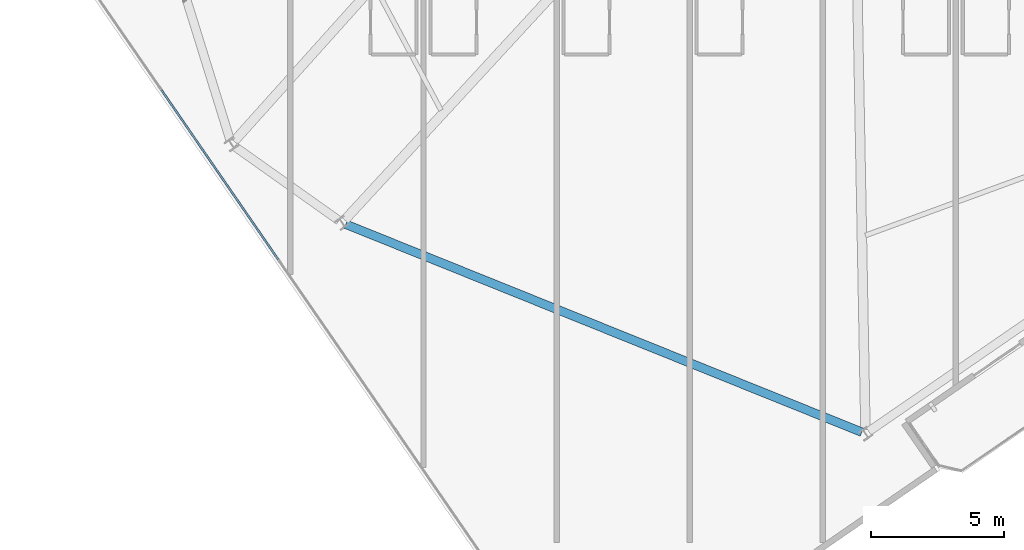
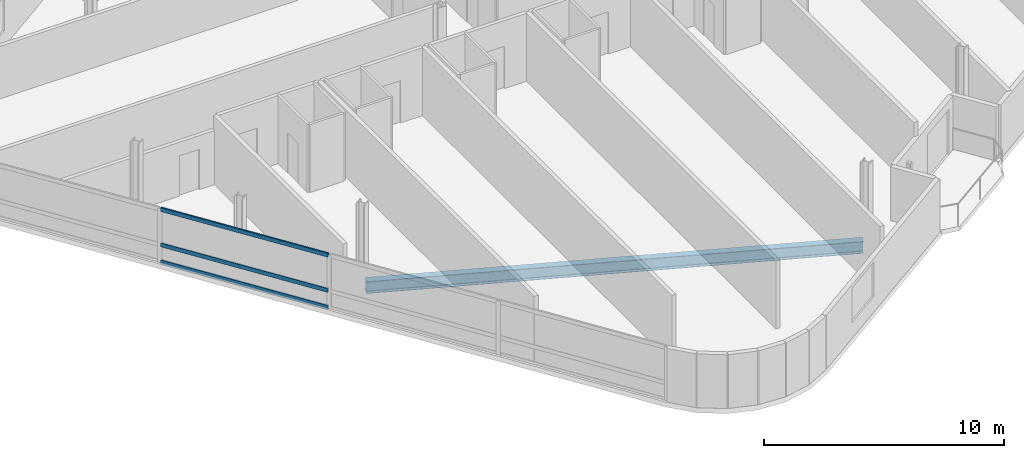
# One storey, part 4 of 22: 3 members, 1 beam, 1 element without a shape of its own.
"""IFC4 building model written with IfcOpenShell, lengths in metres."""

import ifcopenshell
import ifcopenshell.guid

model = None  # the IFC model being written
_history = None  # IfcOwnerHistory: only IFC2X3 demands one
_inside = {}  # id of a spatial element -> (the spatial element, [elements in it])
_under = {}  # id of a project, library or spatial element -> (it, [spatial elements below it])
_declared = {}  # id of a project -> (the project, [libraries it declares])
_typed = {}  # id of a type object -> (the type object, [elements of that type])
_made_of = {}  # id of a material, layer set ... -> (it, [elements and type objects made of it])


def new_model(schema):
    """Start an empty IFC model of exactly this schema.

    Asked for "IFC4X3", IfcOpenShell would pick the latest addendum, in which some entities
    have other attributes; the version numbers below select the first issue.
    IFC2X3 requires an IfcOwnerHistory on every rooted entity: one is made here for all.
    """
    global model, _history
    if schema == "IFC4X3":
        model = ifcopenshell.file(schema_version=(4, 3, 0, 0))
    else:
        model = ifcopenshell.file(schema=schema)
    _inside.clear()
    _under.clear()
    _declared.clear()
    _typed.clear()
    _made_of.clear()
    _history = None
    if model.schema == "IFC2X3":
        org = make("IfcOrganization", Name="unknown")
        user = make(
            "IfcPersonAndOrganization",
            ThePerson=make("IfcPerson", FamilyName="unknown"),
            TheOrganization=org,
        )
        app = make(
            "IfcApplication",
            ApplicationDeveloper=org,
            Version="unknown",
            ApplicationFullName="unknown",
            ApplicationIdentifier="unknown",
        )
        _history = make(
            "IfcOwnerHistory",
            OwningUser=user,
            OwningApplication=app,
            ChangeAction="ADDED",
            CreationDate=0,
        )
    return model


def make(cls, **values):
    """One entity of the class cls with the attributes given. An attribute that is None is left unset."""
    return model.create_entity(
        cls, **{name: value for name, value in values.items() if value is not None}
    )


def rooted(cls, **values):
    """An entity with a GlobalId (a new one), such as an element, a storey or a relation."""
    return make(cls, GlobalId=ifcopenshell.guid.new(), OwnerHistory=_history, **values)


def si_unit(unit_type, name, prefix=None):
    """IfcSIUnit, for example si_unit("LENGTHUNIT", "METRE", prefix="MILLI")."""
    return make("IfcSIUnit", UnitType=unit_type, Prefix=prefix, Name=name)


def assignment(units):
    """IfcUnitAssignment: the units of a project."""
    return None if units is None else make("IfcUnitAssignment", Units=units)


def point(xyz):
    """IfcCartesianPoint."""
    return None if xyz is None else make("IfcCartesianPoint", Coordinates=xyz)


def direction(xyz):
    """IfcDirection."""
    return None if xyz is None else make("IfcDirection", DirectionRatios=xyz)


def frame(location, z_axis=None, x_axis=None):
    """IfcAxis2Placement3D, a coordinate frame: its origin and axes. An axis left out is left unset."""
    return make(
        "IfcAxis2Placement3D",
        Location=point(location),
        Axis=direction(z_axis),
        RefDirection=direction(x_axis),
    )


def frame_2d(location, x_axis=None):
    """IfcAxis2Placement2D, a coordinate frame in the plane: its origin and x axis."""
    return make(
        "IfcAxis2Placement2D", Location=point(location), RefDirection=direction(x_axis)
    )


def origin():
    """The frame at (0, 0, 0) with its axes left unset."""
    return frame((0.0, 0.0, 0.0))


def origin_2d():
    """The frame at (0, 0) in the plane with its x axis left unset."""
    return frame_2d((0.0, 0.0))


def place(relative_to, where):
    """IfcLocalPlacement: puts the frame where relative to a parent placement (None: the world)."""
    return make(
        "IfcLocalPlacement", PlacementRelTo=relative_to, RelativePlacement=where
    )


def context(
    kind, dimensions, precision=None, world=None, true_north=None, identifier=None
):
    """IfcGeometricRepresentationContext, for example the 3D "Model" context."""
    return make(
        "IfcGeometricRepresentationContext",
        ContextIdentifier=identifier,
        ContextType=kind,
        CoordinateSpaceDimension=dimensions,
        Precision=precision,
        WorldCoordinateSystem=world,
        TrueNorth=true_north,
    )


def subcontext(parent, identifier, kind, view, scale=None):
    """IfcGeometricRepresentationSubContext, for example "Body" below "Model"."""
    return make(
        "IfcGeometricRepresentationSubContext",
        ContextIdentifier=identifier,
        ContextType=kind,
        ParentContext=parent,
        TargetScale=scale,
        TargetView=view,
    )


def project(units=None, contexts=None):
    """IfcProject with its units and contexts."""
    return rooted(
        "IfcProject",
        Name="project",
        RepresentationContexts=contexts,
        UnitsInContext=assignment(units),
    )


def spatial(cls, under=None, at=None, **own):
    """A site, building, storey or space (cls), placed at a placement, below another one or the project."""
    s = rooted(cls, ObjectPlacement=at, **own)
    if under is not None:
        _under.setdefault(under.id(), (under, []))[1].append(s)
    return s


def profile(cls, at=None, kind="AREA", **sizes):
    """A parametric profile (cls). Its sizes go by their IFC names, for example OverallWidth=200.0."""
    return make(cls, ProfileType=kind, Position=at, **sizes)


def hollow_rectangle(**sizes):
    """IfcRectangleHollowProfileDef."""
    return profile("IfcRectangleHollowProfileDef", **sizes)


def i_section(**sizes):
    """IfcIShapeProfileDef."""
    return profile("IfcIShapeProfileDef", **sizes)


def extrude(swept, where, along, depth):
    """IfcExtrudedAreaSolid: the profile swept, set in the frame where, extruded along a direction by depth."""
    return make(
        "IfcExtrudedAreaSolid",
        SweptArea=swept,
        Position=where,
        ExtrudedDirection=direction(along),
        Depth=depth,
    )


def shape(context_of_items, identifier, shape_type, items):
    """IfcShapeRepresentation: the items that make up one representation, for example the "Body"."""
    return make(
        "IfcShapeRepresentation",
        ContextOfItems=context_of_items,
        RepresentationIdentifier=identifier,
        RepresentationType=shape_type,
        Items=items,
    )


def material(Name=None, Category=None):
    """IfcMaterial."""
    return make("IfcMaterial", Name=Name, Category=Category)


def layer(
    of_material, thickness, ventilated=None, Name=None, Category=None, Priority=None
):
    """IfcMaterialLayer: one layer of a wall or slab, of a material (None: an air gap)."""
    return make(
        "IfcMaterialLayer",
        Material=of_material,
        LayerThickness=thickness,
        IsVentilated=ventilated,
        Name=Name,
        Category=Category,
        Priority=Priority,
    )


def layer_set(layers, Name=None):
    """IfcMaterialLayerSet."""
    return make("IfcMaterialLayerSet", MaterialLayers=layers, LayerSetName=Name)


def material_profile(
    of_material, cross_section, Name=None, Category=None, Priority=None
):
    """IfcMaterialProfile: a cross section and its material."""
    return make(
        "IfcMaterialProfile",
        Name=Name,
        Material=of_material,
        Profile=cross_section,
        Priority=Priority,
        Category=Category,
    )


def profile_set(profiles, Name=None, composite=None):
    """IfcMaterialProfileSet."""
    return make(
        "IfcMaterialProfileSet",
        Name=Name,
        MaterialProfiles=profiles,
        CompositeProfile=composite,
    )


def made_of(thing, what):
    """Note that an element or type object is made of a material, layer set ...; save() writes the relation."""
    if what is not None:
        _made_of.setdefault(what.id(), (what, []))[1].append(thing)
    return thing


def type_object(cls, material=None, **own):
    """A type object (cls), such as IfcWallType, which elements share."""
    return made_of(rooted(cls, **own), material)


def element(
    cls,
    number,
    at=None,
    inside=None,
    cuts=None,
    type_object=None,
    material=None,
    context=None,
    identifier="Body",
    shape_type=None,
    held_by="IfcProductDefinitionShape",
    body=None,
    shapes=None,
    **own,
):
    """One element of the class cls, such as IfcWall. Its Tag is "e" and its number.

    at: its placement. inside: the storey or other place that contains it. cuts: it is an
    opening in that element (IfcRelVoidsElement). A single representation is given by context,
    identifier, shape_type and body (its items); several are given by shapes. held_by: the class
    of the entity that holds the representations. save() writes the other relations.
    """
    e = rooted(cls, Tag="e%d" % number, ObjectPlacement=at, **own)
    if body is not None:
        shapes = [shape(context, identifier, shape_type, body)]
    if shapes is not None:
        e.Representation = make(held_by, Representations=shapes)
    if inside is not None:
        _inside.setdefault(inside.id(), (inside, []))[1].append(e)
    if cuts is not None:
        rooted(
            "IfcRelVoidsElement", RelatingBuildingElement=cuts, RelatedOpeningElement=e
        )
    if type_object is not None:
        _typed.setdefault(type_object.id(), (type_object, []))[1].append(e)
    return made_of(e, material)


def aggregate(whole, parts):
    """IfcRelAggregates: a whole, such as a stair, and the parts it consists of."""
    return rooted("IfcRelAggregates", RelatingObject=whole, RelatedObjects=parts)


def save(model, path):
    """Write the relations noted so far, then the file.

    IfcRelAggregates (storeys below a building ...), IfcRelContainedInSpatialStructure (elements
    in a storey), IfcRelDefinesByType, IfcRelAssociatesMaterial and IfcRelDeclares: one each for
    every whole, place, type object, material and project.
    """
    for whole, parts in _under.values():
        aggregate(whole, parts)
    for where, things in _inside.values():
        rooted(
            "IfcRelContainedInSpatialStructure",
            RelatedElements=things,
            RelatingStructure=where,
        )
    for kind, things in _typed.values():
        rooted("IfcRelDefinesByType", RelatedObjects=things, RelatingType=kind)
    for what, things in _made_of.values():
        rooted("IfcRelAssociatesMaterial", RelatedObjects=things, RelatingMaterial=what)
    for by, libraries in _declared.values():
        rooted("IfcRelDeclares", RelatingContext=by, RelatedDefinitions=libraries)
    model.write(path)


model = new_model("IFC4")

# Units and contexts
model_context = context("Model", 3, precision=1e-05, world=origin(), true_north=direction((0.0, 1.0)))
body_context = subcontext(model_context, "Body", "Model", "MODEL_VIEW")
ifc_project = project(units=[si_unit("LENGTHUNIT", "METRE"), si_unit("AREAUNIT", "SQUARE_METRE"), si_unit("VOLUMEUNIT", "CUBIC_METRE"), si_unit("PLANEANGLEUNIT", "RADIAN"), si_unit("MASSUNIT", "GRAM", prefix="KILO")], contexts=[model_context])

# Site, building, storey
site_placement = place(None, origin())
site = spatial("IfcSite", under=ifc_project, at=site_placement, CompositionType="ELEMENT")
building_placement = place(site_placement, origin())
building = spatial("IfcBuilding", under=site, at=building_placement, Name="Varnelok Gate Tower", CompositionType="ELEMENT")
storey_placement = place(building_placement, frame((0.0, 0.0, 280.39990234375)))
storey = spatial("IfcBuildingStorey", under=building, at=storey_placement, Name="L72", CompositionType="ELEMENT", Elevation=280.39990234375)

# Beam
ifc_material_1 = material(Name="Structural Steel ASTM A992 Grade 50", Category="steel")
ifc_material_profile_1 = material_profile(ifc_material_1, i_section(OverallWidth=0.323974609375, OverallDepth=0.611083984375, WebThickness=0.0126953125, FlangeThickness=0.01904296875, FilletRadius=0.01806640625, at=origin_2d()), Name="W24X104")
ifc_profile_set_1 = profile_set([ifc_material_profile_1], Name="Structural Steel ASTM A992 Grade 50")
beam_type = type_object("IfcBeamType", Name="BM-SPN-W24X104", PredefinedType="SPANDREL", material=ifc_profile_set_1)
beam_placement = place(storey_placement, frame((14.581787109375, 7.94775390625, -0.555419921875), z_axis=(0.927546574087, -0.373707576722, 0.0), x_axis=(0.373707576722, 0.927546574087, 0.0)))
element("IfcBeam", 1, at=beam_placement, inside=storey, type_object=beam_type, Name="L72 Perimeter Spandrel Beam 16", PredefinedType="SPANDREL", context=body_context, shape_type="SweptSolid", body=[
    extrude(i_section(OverallWidth=0.323974609375, OverallDepth=0.611083984375, WebThickness=0.0126953125, FlangeThickness=0.01904296875, FilletRadius=0.01806640625, at=origin_2d()), origin(), (0.0, 0.0, 1.0), 20.90087890625),
])

# Curtain wall, members
ifc_material_2 = material(Name="Anodized Aluminum Alloy 6063-T6", Category="aluminium")
ifc_layer = layer(ifc_material_2, 0.179931640625)
ifc_layer_set = layer_set([ifc_layer], Name="Anodized Aluminum Alloy 6063-T6")
curtain_wall_type = type_object("IfcCurtainWallType", Name="CW4-RESIDENCE-VISION", PredefinedType="USERDEFINED", material=ifc_layer_set)
curtain_wall_placement = place(storey_placement, origin())
curtain_wall = element("IfcCurtainWall", 2, at=curtain_wall_placement, inside=storey, type_object=curtain_wall_type, Name="L72 West End Vision Curtain Wall", ObjectType="UNITISED CURTAIN WALL", PredefinedType="USERDEFINED")
ifc_material_profile_2 = material_profile(ifc_material_2, hollow_rectangle(XDim=0.074951171875, YDim=0.199951171875, WallThickness=0.00390625, at=origin_2d()), Name="ALU200X75X4")
ifc_profile_set_2 = profile_set([ifc_material_profile_2], Name="Anodized Aluminum Alloy 6063-T6")
member_type = type_object("IfcMemberType", Name="CW-TRAN-200", PredefinedType="USERDEFINED", material=ifc_profile_set_2)
member_1_placement = place(storey_placement, frame((12.03515625, 6.6337890625, 0.03759765625), z_axis=(-0.567275705555, 0.823527943598, 0.0), x_axis=(-0.823527943598, -0.567275705555, 0.0)))
member_1 = element("IfcMember", 3, at=member_1_placement, type_object=member_type, Name="CW4 transom 3.1", ObjectType="TRANSOM", PredefinedType="USERDEFINED", context=body_context, shape_type="SweptSolid", body=[
    extrude(hollow_rectangle(XDim=0.074951171875, YDim=0.199951171875, WallThickness=0.00390625, at=origin_2d()), origin(), (0.0, 0.0, 1.0), 7.724853515625),
])
member_2_placement = place(storey_placement, frame((12.03515625, 6.6337890625, 0.900146484375), z_axis=(-0.567275705555, 0.823527943598, 0.0), x_axis=(-0.823527943598, -0.567275705555, 0.0)))
member_2 = element("IfcMember", 4, at=member_2_placement, type_object=member_type, Name="CW4 transom 3.2", ObjectType="TRANSOM", PredefinedType="USERDEFINED", context=body_context, shape_type="SweptSolid", body=[
    extrude(hollow_rectangle(XDim=0.074951171875, YDim=0.199951171875, WallThickness=0.00390625, at=origin_2d()), origin(), (0.0, 0.0, 1.0), 7.724853515625),
])
member_3_placement = place(storey_placement, frame((12.03515625, 6.6337890625, 2.692626953125), z_axis=(-0.567275705555, 0.823527943598, 0.0), x_axis=(-0.823527943598, -0.567275705555, 0.0)))
member_3 = element("IfcMember", 5, at=member_3_placement, type_object=member_type, Name="CW4 transom 3.3", ObjectType="TRANSOM", PredefinedType="USERDEFINED", context=body_context, shape_type="SweptSolid", body=[
    extrude(hollow_rectangle(XDim=0.074951171875, YDim=0.199951171875, WallThickness=0.00390625, at=origin_2d()), origin(), (0.0, 0.0, 1.0), 7.724853515625),
])
aggregate(curtain_wall, [member_1, member_2, member_3])

save(model, "model.ifc")
